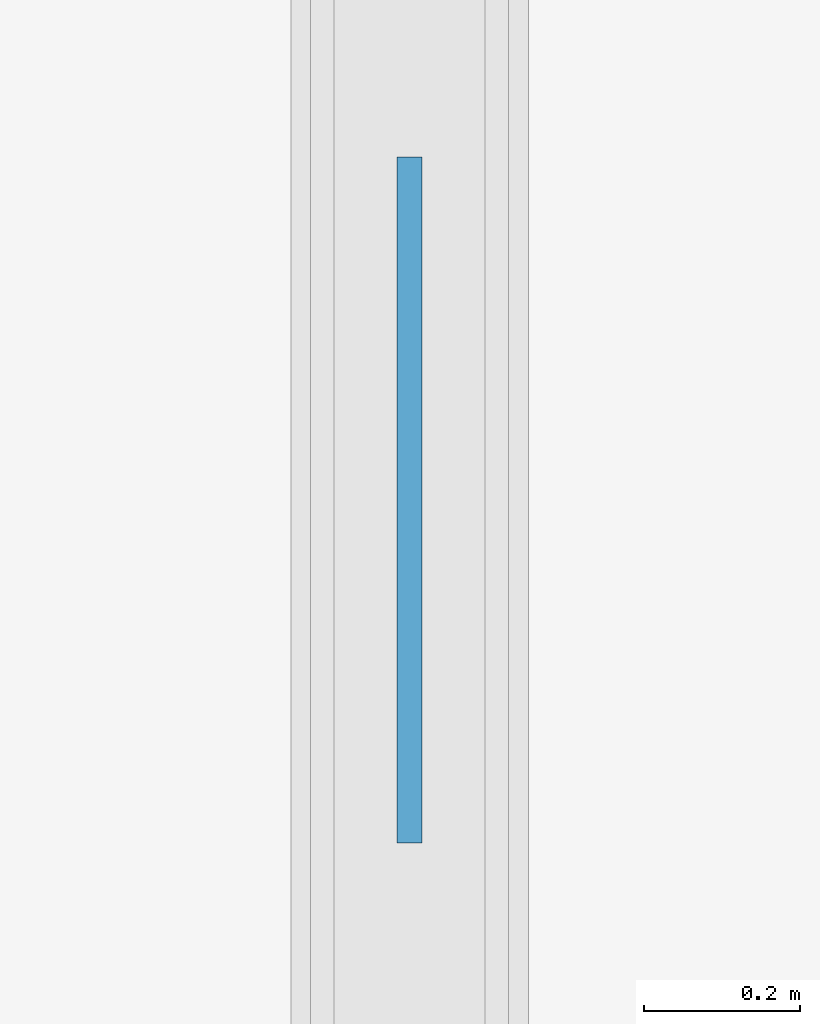
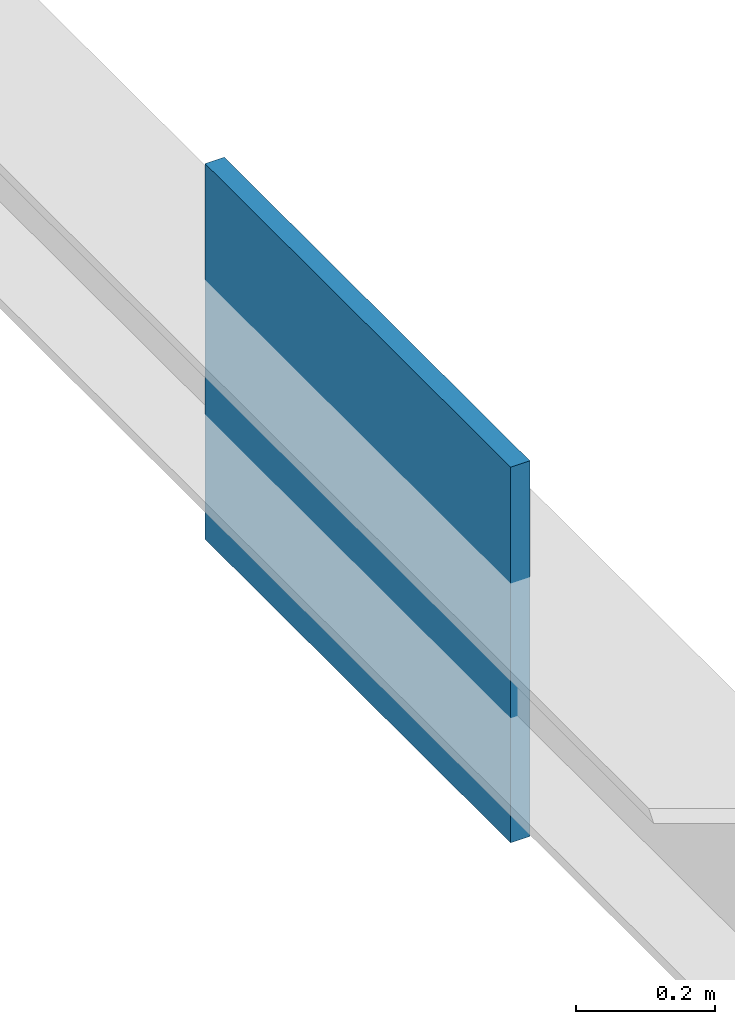
# One storey, part 118 of 141: 1 plate, 1 element without a shape of its own.
"""IFC4 building model written with IfcOpenShell, lengths in metres."""

from ifc_helpers import new_model, si_unit, direction, frame, origin, origin_2d, place, context, subcontext, project, spatial, rectangle, extrude, material, layer, layer_set, type_object, element, aggregate, save


model = new_model("IFC4")

# Units and contexts
model_context = context("Model", 3, precision=1e-05, world=origin(), true_north=direction((0.0, 1.0)))
body_context = subcontext(model_context, "Body", "Model", "MODEL_VIEW")
ifc_project = project(units=[si_unit("LENGTHUNIT", "METRE"), si_unit("AREAUNIT", "SQUARE_METRE"), si_unit("VOLUMEUNIT", "CUBIC_METRE"), si_unit("PLANEANGLEUNIT", "RADIAN"), si_unit("MASSUNIT", "GRAM", prefix="KILO")], contexts=[model_context])

# Site, building, storey
site_placement = place(None, origin())
site = spatial("IfcSite", under=ifc_project, at=site_placement, CompositionType="ELEMENT")
building_placement = place(site_placement, origin())
building = spatial("IfcBuilding", under=site, at=building_placement, Name="Seraya Terrace Polytechnic", CompositionType="ELEMENT")
storey_placement = place(building_placement, frame((0.0, 0.0, 14.39990234375)))
storey = spatial("IfcBuildingStorey", under=building, at=storey_placement, Name="L03", CompositionType="ELEMENT", Elevation=14.39990234375)

# Assembly, plate
ifc_material = material(Name="Steel S355J2", Category="steel")
element_assembly_type = type_object("IfcElementAssemblyType", Name="TR-A1", PredefinedType="TRUSS", material=ifc_material)
assembly_placement = place(storey_placement, origin())
assembly = element("IfcElementAssembly", 1, at=assembly_placement, inside=storey, type_object=element_assembly_type, Name="Pitched steel roof truss TR-05", AssemblyPlace="SITE", PredefinedType="TRUSS")
ifc_layer = layer(ifc_material, 0.031982421875, Name="TN-08")
ifc_layer_set = layer_set([ifc_layer], Name="Steel S355J2")
plate_type = type_object("IfcPlateType", Name="TN-08", PredefinedType="USERDEFINED", material=ifc_layer_set)
plate_placement = place(storey_placement, frame((72.0, 94.199951171875, -0.1796875), z_axis=(0.0, 0.0, 1.0), x_axis=(0.0, 1.0, 0.0)))
plate = element("IfcPlate", 2, at=plate_placement, type_object=plate_type, Name="TR-05 bottom chord splice plate TN-08", ObjectType="GUSSET_PLATE", PredefinedType="USERDEFINED", context=body_context, shape_type="SweptSolid", body=[
    extrude(rectangle(XDim=0.8798828125, YDim=0.031982421875, at=origin_2d()), origin(), (0.0, 0.0, 1.0), 0.659912109375),
])
aggregate(assembly, [plate])

save(model, "model.ifc")
